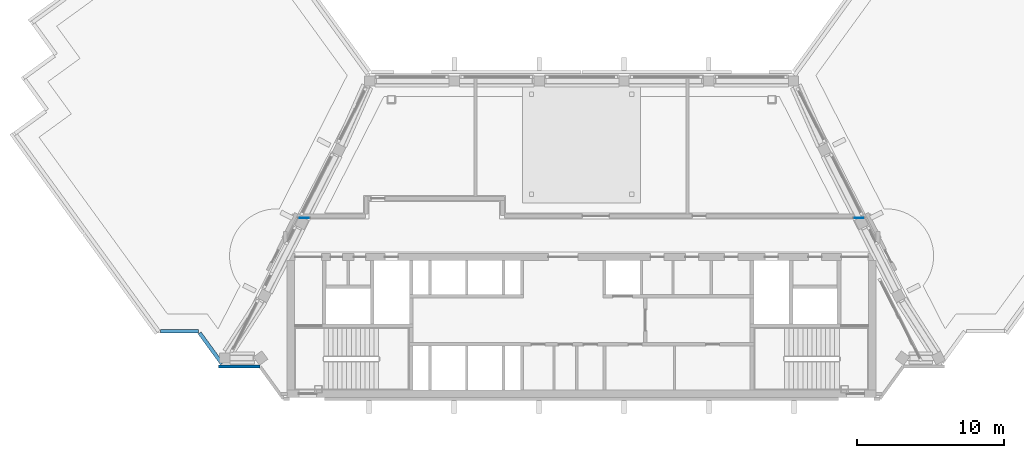
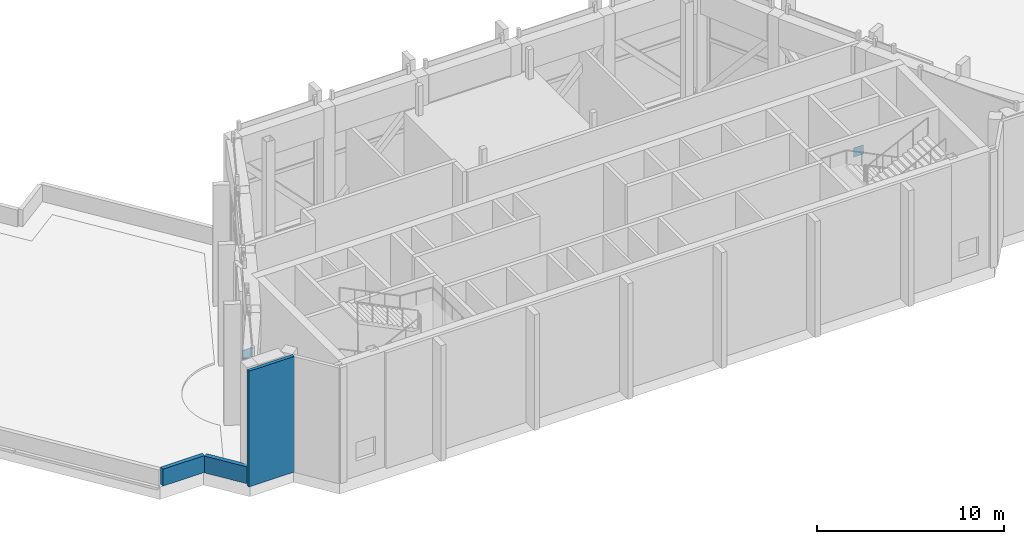
# One storey, part 8 of 14: 3 walls, 2 plates.
"""IFC4 building model written with IfcOpenShell, lengths in metres."""

from ifc_helpers import new_model, si_unit, direction, frame, frame_2d, origin, origin_2d, place, context, subcontext, project, spatial, rectangle, extrude, material, layer, layer_set, type_object, element, save


model = new_model("IFC4")

# Units and contexts
model_context = context("Model", 3, precision=1e-05, world=origin(), true_north=direction((0.0, 1.0)))
body_context = subcontext(model_context, "Body", "Model", "MODEL_VIEW")
ifc_project = project(units=[si_unit("LENGTHUNIT", "METRE"), si_unit("AREAUNIT", "SQUARE_METRE"), si_unit("VOLUMEUNIT", "CUBIC_METRE"), si_unit("PLANEANGLEUNIT", "RADIAN"), si_unit("MASSUNIT", "GRAM", prefix="KILO")], contexts=[model_context])

# Site, building, storey
site_placement = place(None, origin())
site = spatial("IfcSite", under=ifc_project, at=site_placement, CompositionType="ELEMENT")
building_placement = place(site_placement, origin())
building = spatial("IfcBuilding", under=site, at=building_placement, Name="Quipu Civic Tower", CompositionType="ELEMENT")
storey_placement = place(building_placement, frame((0.0, 0.0, 355.0)))
storey = spatial("IfcBuildingStorey", under=building, at=storey_placement, Name="L83", CompositionType="ELEMENT", Elevation=355.0)

# Plates
ifc_material_1 = material(Name="Steel ASTM A572 Grade 50 (fy 345 MPa)", Category="steel")
ifc_layer = layer(ifc_material_1, 0.030029296875)
ifc_layer_set = layer_set([ifc_layer], Name="Steel ASTM A572 Grade 50 (fy 345 MPa)")
plate_type = type_object("IfcPlateType", Name="Cast in plate TD2", PredefinedType="SHEET", material=ifc_layer_set)
for number, where, z_axis, x_axis, name in (
    (1, (-18.83935546875, 1.199951171875, 0.207275390625), (0.0, 0.0, 1.0), (1.0, 0.0, 0.0), "Cast-in plate TD2 L83 075"),
    (2, (18.83935546875, 1.199951171875, 0.207275390625), (0.0, 0.0, 1.0), (1.0, 0.0, 0.0), "Cast-in plate TD2 L83 078"),
):
    element("IfcPlate", number, at=place(storey_placement, frame(where, z_axis=z_axis, x_axis=x_axis)), inside=storey, type_object=plate_type, Name=name, PredefinedType="SHEET", context=body_context, shape_type="SweptSolid", body=[
        extrude(rectangle(XDim=0.60009765625, YDim=0.030029296875, at=origin_2d()), origin(), (0.0, 0.0, 1.0), 0.60009765625),
    ])

# Walls
ifc_material_2 = material(Name="Precast concrete C40/50", Category="concrete")
wall_type_1 = type_object("IfcWallType", Name="Concrete parapet", PredefinedType="PARAPET", material=ifc_material_2)
wall_1_placement = place(storey_placement, frame((-24.427978515625, -8.690673828125, 0.0), z_axis=(0.0, 0.0, 1.0), x_axis=(-0.587810855502, 0.808998391935, 0.0)))
element("IfcWall", 3, at=wall_1_placement, inside=storey, type_object=wall_type_1, Name="Parapet L83.14", PredefinedType="PARAPET", context=body_context, shape_type="SweptSolid", body=[
    extrude(rectangle(XDim=2.5751953125, YDim=0.25, at=frame_2d((1.28759765625, 0.0))), origin(), (0.0, 0.0, 1.0), 1.10009765625),
])
wall_2_placement = place(storey_placement, frame((-26.01513671875, -6.50634765625, 0.0), z_axis=(0.0, 0.0, 1.0), x_axis=(-1.0, 0.0, 0.0)))
element("IfcWall", 4, at=wall_2_placement, inside=storey, type_object=wall_type_1, Name="Parapet L83.15", PredefinedType="PARAPET", context=body_context, shape_type="SweptSolid", body=[
    extrude(rectangle(XDim=2.574951171875, YDim=0.25, at=frame_2d((1.28759765625, 0.0))), origin(), (0.0, 0.0, 1.0), 1.10009765625),
])
ifc_material_3 = material(Name="Precast concrete C40/50", Category="concrete")
wall_type_2 = type_object("IfcWallType", Name="Precast cladding wall", PredefinedType="SOLIDWALL", material=ifc_material_3)
wall_3_placement = place(storey_placement, frame((-24.655029296875, -8.90380859375, 0.0), z_axis=(0.0, 0.0, 1.0), x_axis=(1.0, 0.0, 0.0)))
element("IfcWall", 5, at=wall_3_placement, inside=storey, type_object=wall_type_2, Name="Precast cladding wall L83 4", PredefinedType="SOLIDWALL", context=body_context, shape_type="SweptSolid", body=[
    extrude(rectangle(XDim=2.812255859375, YDim=0.199951171875, at=frame_2d((1.40625, 0.0))), origin(), (0.0, 0.0, 1.0), 7.550048828125),
])

save(model, "model.ifc")
